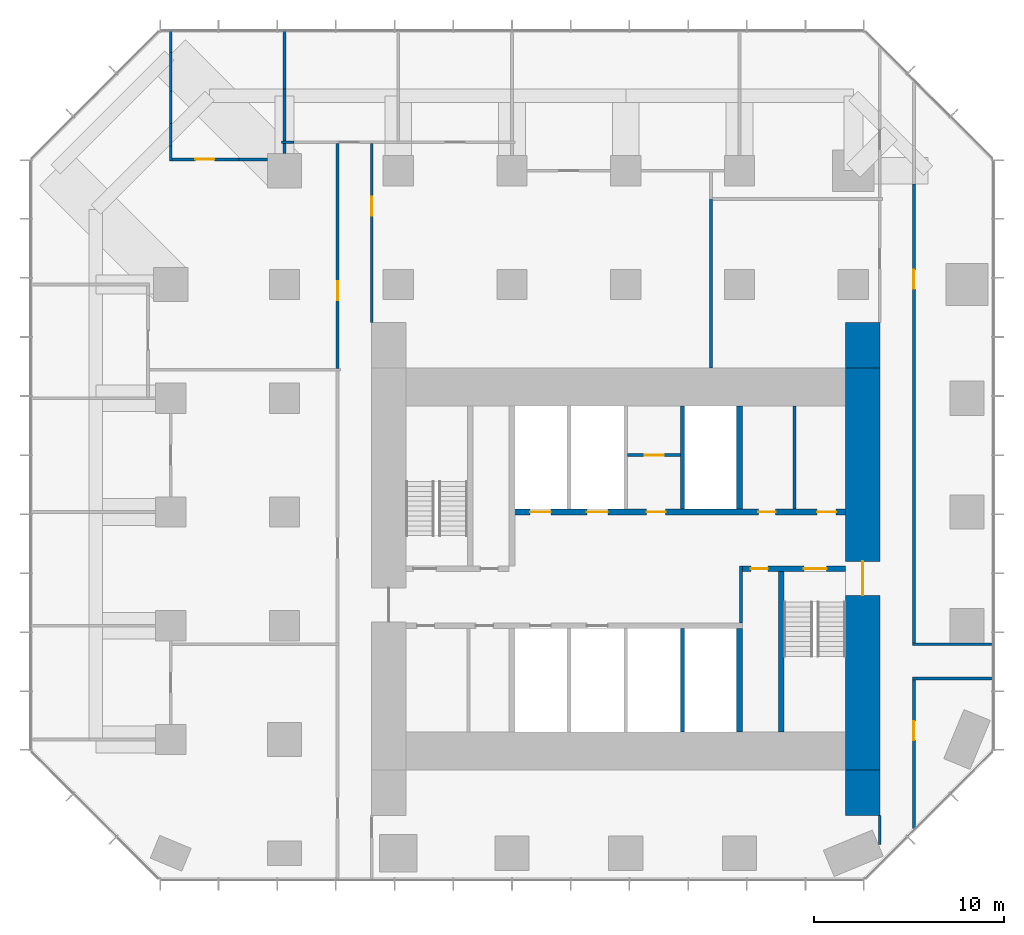
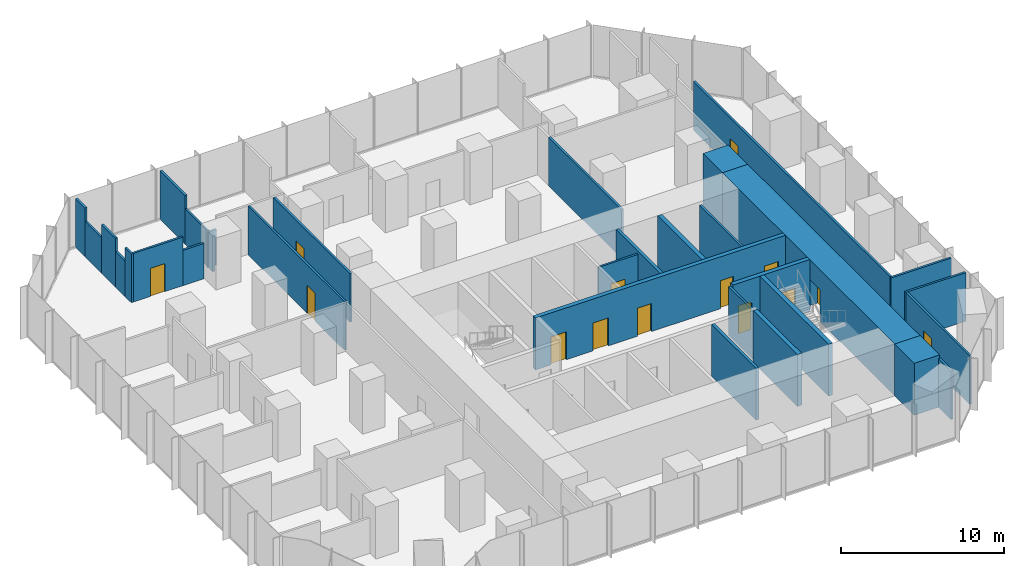
# One storey, part 9 of 11: 32 walls, 14 doors, 14 openings.
"""IFC4 building model written with IfcOpenShell, lengths in metres."""

from ifc_helpers import new_model, si_unit, direction, frame, frame_2d, origin, place, context, subcontext, project, spatial, rectangle, extrude, material, layer, layer_set, type_object, element, fill, save


model = new_model("IFC4")

# Units and contexts
model_context = context("Model", 3, precision=1e-05, world=origin(), true_north=direction((0.0, 1.0)))
body_context = subcontext(model_context, "Body", "Model", "MODEL_VIEW")
ifc_project = project(units=[si_unit("LENGTHUNIT", "METRE"), si_unit("AREAUNIT", "SQUARE_METRE"), si_unit("VOLUMEUNIT", "CUBIC_METRE"), si_unit("PLANEANGLEUNIT", "RADIAN"), si_unit("MASSUNIT", "GRAM", prefix="KILO")], contexts=[model_context])

# Site, building, storey
site_placement = place(None, origin())
site = spatial("IfcSite", under=ifc_project, at=site_placement, CompositionType="ELEMENT")
building_placement = place(site_placement, origin())
building = spatial("IfcBuilding", under=site, at=building_placement, Name="Highveld Stack Headquarters", CompositionType="ELEMENT")
storey_placement = place(building_placement, frame((0.0, 0.0, 105.5)))
storey = spatial("IfcBuildingStorey", under=building, at=storey_placement, Name="L25", CompositionType="ELEMENT", Elevation=105.5)

# Wall, opening, door
ifc_material_1 = material(Name="Concrete C60/75", Category="concrete")
ifc_layer_1 = layer(ifc_material_1, 1.800048828125)
ifc_layer_set_1 = layer_set([ifc_layer_1], Name="Concrete C60/75")
wall_type_1 = type_object("IfcWallType", Name="CORE WALL 1800 C60/75", PredefinedType="SHEAR", material=ifc_layer_set_1)
wall_1_placement = place(storey_placement, frame((18.5, -7.60009765625, 0.0), z_axis=(0.0, 0.0, 1.0), x_axis=(0.0, 1.0, 0.0)))
wall_1 = element("IfcWall", 1, at=wall_1_placement, inside=storey, type_object=wall_type_1, Name="Core wall E L25", PredefinedType="SHEAR", context=body_context, shape_type="SweptSolid", body=[
    extrude(rectangle(XDim=21.2001953125, YDim=1.800048828125, at=frame_2d((10.60009765625, 0.0))), origin(), (0.0, 0.0, 1.0), 3.89990234375),
])
opening_1_placement = place(wall_1_placement, frame((9.199951171875, 0.0, 0.0)))
opening_1 = element("IfcOpeningElement", 2, at=opening_1_placement, cuts=wall_1, Name="Opening L25-02", PredefinedType="OPENING", context=body_context, shape_type="SweptSolid", body=[
    extrude(rectangle(XDim=1.800048828125, YDim=2.39990234375, at=frame_2d((0.89990234375, 1.199951171875))), frame((0.0, 0.909912109375, 0.0), z_axis=(0.0, -1.0, 0.0), x_axis=(1.0, 0.0, 0.0)), (0.0, 0.0, 1.0), 1.820068359375),
])
ifc_material_2 = material(Name="Steel fire door", Category="steel")
door_type_1 = type_object("IfcDoorType", Name="LOBBY FIRE DOOR D4 1800x2400", OperationType="DOUBLE_DOOR_SINGLE_SWING", PredefinedType="DOOR", material=ifc_material_2)
door_1_placement = place(opening_1_placement, origin())
door_1 = element("IfcDoor", 3, at=door_1_placement, inside=storey, type_object=door_type_1, Name="Core east door L25", OperationType="DOUBLE_DOOR_SINGLE_SWING", OverallHeight=2.39990234375, OverallWidth=1.800048828125, PredefinedType="DOOR", context=body_context, shape_type="SweptSolid", body=[
    extrude(rectangle(XDim=1.800048828125, YDim=2.39990234375, at=frame_2d((0.89990234375, 1.199951171875))), frame((0.0, 0.02490234375, 0.0), z_axis=(0.0, -1.0, 0.0), x_axis=(1.0, 0.0, 0.0)), (0.0, 0.0, 1.0), 0.050048828125),
])
fill(opening_1, door_1)

# Wall, openings, doors
ifc_material_3 = material(Name="Concrete C60/75", Category="concrete")
ifc_layer_2 = layer(ifc_material_3, 0.300048828125)
ifc_layer_set_2 = layer_set([ifc_layer_2], Name="Concrete C60/75")
wall_type_2 = type_object("IfcWallType", Name="CORE WALL 300 C60/75", PredefinedType="SHEAR", material=ifc_layer_set_2)
wall_2_placement = place(storey_placement, frame((12.14990234375, 3.0, 0.0), z_axis=(0.0, 0.0, 1.0), x_axis=(1.0, 0.0, 0.0)))
wall_2 = element("IfcWall", 4, at=wall_2_placement, inside=storey, type_object=wall_type_2, Name="Core wall I-Y3E L25", PredefinedType="SHEAR", context=body_context, shape_type="SweptSolid", body=[
    extrude(rectangle(XDim=5.4501953125, YDim=0.300048828125, at=frame_2d((2.72509765625, 0.0))), origin(), (0.0, 0.0, 1.0), 3.89990234375),
])
opening_2_placement = place(wall_2_placement, frame((3.25, 0.0, 0.0)))
opening_2 = element("IfcOpeningElement", 5, at=opening_2_placement, cuts=wall_2, Name="Opening L25-05", PredefinedType="OPENING", context=body_context, shape_type="SweptSolid", body=[
    extrude(rectangle(XDim=1.199951171875, YDim=2.10009765625, at=frame_2d((0.60009765625, 1.050048828125))), frame((0.0, 0.159912109375, 0.0), z_axis=(0.0, -1.0, 0.0), x_axis=(1.0, 0.0, 0.0)), (0.0, 0.0, 1.0), 0.320068359375),
])
opening_3_placement = place(wall_2_placement, frame((0.449951171875, 0.0, 0.0)))
opening_3 = element("IfcOpeningElement", 6, at=opening_3_placement, cuts=wall_2, Name="Opening L25-06", PredefinedType="OPENING", context=body_context, shape_type="SweptSolid", body=[
    extrude(rectangle(XDim=0.89990234375, YDim=2.10009765625, at=frame_2d((0.449951171875, 1.050048828125))), frame((0.0, 0.159912109375, 0.0), z_axis=(0.0, -1.0, 0.0), x_axis=(1.0, 0.0, 0.0)), (0.0, 0.0, 1.0), 0.320068359375),
])
ifc_material_4 = material(Name="Steel fire door", Category="steel")
door_type_2 = type_object("IfcDoorType", Name="RISER ACCESS DOOR D5 900x2100", OperationType="SINGLE_SWING_LEFT", PredefinedType="DOOR", material=ifc_material_4)
door_2_placement = place(opening_3_placement, origin())
door_2 = element("IfcDoor", 7, at=door_2_placement, inside=storey, type_object=door_type_2, Name="Riser R2 door L25", OperationType="SINGLE_SWING_LEFT", OverallHeight=2.10009765625, OverallWidth=0.89990234375, PredefinedType="DOOR", context=body_context, shape_type="SweptSolid", body=[
    extrude(rectangle(XDim=0.89990234375, YDim=2.10009765625, at=frame_2d((0.449951171875, 1.050048828125))), frame((0.0, 0.02490234375, 0.0), z_axis=(0.0, -1.0, 0.0), x_axis=(1.0, 0.0, 0.0)), (0.0, 0.0, 1.0), 0.050048828125),
])
fill(opening_3, door_2)
ifc_material_5 = material(Name="Steel fire door", Category="steel")
door_type_3 = type_object("IfcDoorType", Name="STAIR FIRE DOOR D3 1200x2100", OperationType="SINGLE_SWING_LEFT", PredefinedType="DOOR", material=ifc_material_5)
door_3_placement = place(opening_2_placement, origin())
door_3 = element("IfcDoor", 8, at=door_3_placement, inside=storey, type_object=door_type_3, Name="Stair S2 door L25", OperationType="SINGLE_SWING_RIGHT", OverallHeight=2.10009765625, OverallWidth=1.199951171875, PredefinedType="DOOR", context=body_context, shape_type="SweptSolid", body=[
    extrude(rectangle(XDim=1.199951171875, YDim=2.10009765625, at=frame_2d((0.60009765625, 1.050048828125))), frame((0.0, 0.02490234375, 0.0), z_axis=(0.0, -1.0, 0.0), x_axis=(1.0, 0.0, 0.0)), (0.0, 0.0, 1.0), 0.050048828125),
])
fill(opening_2, door_3)

wall_3_placement = place(storey_placement, frame((-0.14990234375, 6.0, 0.0), z_axis=(0.0, 0.0, 1.0), x_axis=(1.0, 0.0, 0.0)))
wall_3 = element("IfcWall", 9, at=wall_3_placement, inside=storey, type_object=wall_type_2, Name="Core wall I-Y6 L25", PredefinedType="SHEAR", context=body_context, shape_type="SweptSolid", body=[
    extrude(rectangle(XDim=17.75, YDim=0.300048828125, at=frame_2d((8.875, 0.0))), origin(), (0.0, 0.0, 1.0), 3.89990234375),
])
opening_4_placement = place(wall_3_placement, frame((13.14990234375, 0.0, 0.0)))
opening_4 = element("IfcOpeningElement", 10, at=opening_4_placement, cuts=wall_3, Name="Opening L25-09", PredefinedType="OPENING", context=body_context, shape_type="SweptSolid", body=[
    extrude(rectangle(XDim=0.89990234375, YDim=2.10009765625, at=frame_2d((0.449951171875, 1.050048828125))), frame((0.0, 0.159912109375, 0.0), z_axis=(0.0, -1.0, 0.0), x_axis=(1.0, 0.0, 0.0)), (0.0, 0.0, 1.0), 0.320068359375),
])
opening_5_placement = place(wall_3_placement, frame((16.25, 0.0, 0.0)))
opening_5 = element("IfcOpeningElement", 11, at=opening_5_placement, cuts=wall_3, Name="Opening L25-10", PredefinedType="OPENING", context=body_context, shape_type="SweptSolid", body=[
    extrude(rectangle(XDim=1.0, YDim=2.10009765625, at=frame_2d((0.5, 1.050048828125))), frame((0.0, 0.159912109375, 0.0), z_axis=(0.0, -1.0, 0.0), x_axis=(1.0, 0.0, 0.0)), (0.0, 0.0, 1.0), 0.320068359375),
])
opening_6_placement = place(wall_3_placement, frame((7.25, 0.0, 0.0)))
opening_6 = element("IfcOpeningElement", 12, at=opening_6_placement, cuts=wall_3, Name="Opening L25-12", PredefinedType="OPENING", context=body_context, shape_type="SweptSolid", body=[
    extrude(rectangle(XDim=1.0, YDim=2.10009765625, at=frame_2d((0.5, 1.050048828125))), frame((0.0, 0.159912109375, 0.0), z_axis=(0.0, -1.0, 0.0), x_axis=(1.0, 0.0, 0.0)), (0.0, 0.0, 1.0), 0.320068359375),
])
opening_7_placement = place(wall_3_placement, frame((1.10009765625, 0.0, 0.0)))
opening_7 = element("IfcOpeningElement", 13, at=opening_7_placement, cuts=wall_3, Name="Opening LD", PredefinedType="OPENING", context=body_context, shape_type="SweptSolid", body=[
    extrude(rectangle(XDim=1.10009765625, YDim=2.10009765625, at=frame_2d((0.550048828125, 1.050048828125))), frame((0.0, 0.159912109375, 0.0), z_axis=(0.0, -1.0, 0.0), x_axis=(1.0, 0.0, 0.0)), (0.0, 0.0, 1.0), 0.320068359375),
])
opening_8_placement = place(wall_3_placement, frame((4.10009765625, 0.0, 0.0)))
opening_8 = element("IfcOpeningElement", 14, at=opening_8_placement, cuts=wall_3, Name="Opening LD", PredefinedType="OPENING", context=body_context, shape_type="SweptSolid", body=[
    extrude(rectangle(XDim=1.10009765625, YDim=2.10009765625, at=frame_2d((0.550048828125, 1.050048828125))), frame((0.0, 0.159912109375, 0.0), z_axis=(0.0, -1.0, 0.0), x_axis=(1.0, 0.0, 0.0)), (0.0, 0.0, 1.0), 0.320068359375),
])
ifc_material_6 = material(Name="Timber door, painted", Category="wood")
door_type_4 = type_object("IfcDoorType", Name="ACCESSIBLE WC DOOR D2 1000x2100", OperationType="SINGLE_SWING_RIGHT", PredefinedType="DOOR", material=ifc_material_6)
door_4_placement = place(opening_5_placement, origin())
door_4 = element("IfcDoor", 15, at=door_4_placement, inside=storey, type_object=door_type_4, Name="Accessible WC door L25", OperationType="SINGLE_SWING_RIGHT", OverallHeight=2.10009765625, OverallWidth=1.0, PredefinedType="DOOR", context=body_context, shape_type="SweptSolid", body=[
    extrude(rectangle(XDim=1.0, YDim=2.10009765625, at=frame_2d((0.5, 1.050048828125))), frame((0.0, 0.02490234375, 0.0), z_axis=(0.0, -1.0, 0.0), x_axis=(1.0, 0.0, 0.0)), (0.0, 0.0, 1.0), 0.050048828125),
])
fill(opening_5, door_4)
ifc_material_7 = material(Name="Steel fire door", Category="steel")
door_type_5 = type_object("IfcDoorType", Name="CORE ROOM FIRE DOOR D14 1000x2100", OperationType="SINGLE_SWING_LEFT", PredefinedType="DOOR", material=ifc_material_7)
door_5_placement = place(opening_6_placement, origin())
door_5 = element("IfcDoor", 16, at=door_5_placement, inside=storey, type_object=door_type_5, Name="Capped A 1 door L25", OperationType="SINGLE_SWING_LEFT", OverallHeight=2.10009765625, OverallWidth=1.0, PredefinedType="DOOR", context=body_context, shape_type="SweptSolid", body=[
    extrude(rectangle(XDim=1.0, YDim=2.10009765625, at=frame_2d((0.5, 1.050048828125))), frame((0.0, 0.02490234375, 0.0), z_axis=(0.0, -1.0, 0.0), x_axis=(1.0, 0.0, 0.0)), (0.0, 0.0, 1.0), 0.050048828125),
])
fill(opening_6, door_5)
ifc_material_8 = material(Name="Stainless steel lift landing door", Category="steel")
door_type_6 = type_object("IfcDoorType", Name="LIFT LANDING DOOR LD 1100x2100", OperationType="DOUBLE_DOOR_SLIDING", PredefinedType="USERDEFINED", material=ifc_material_8)
door_6_placement = place(opening_7_placement, origin())
door_6 = element("IfcDoor", 17, at=door_6_placement, inside=storey, type_object=door_type_6, Name="Lift landing door FF1 L25", ObjectType="LIFT LANDING DOOR", OperationType="DOUBLE_DOOR_SLIDING", OverallHeight=2.10009765625, OverallWidth=1.10009765625, PredefinedType="USERDEFINED", context=body_context, shape_type="SweptSolid", body=[
    extrude(rectangle(XDim=1.10009765625, YDim=2.10009765625, at=frame_2d((0.550048828125, 1.050048828125))), frame((0.0, 0.02490234375, 0.0), z_axis=(0.0, -1.0, 0.0), x_axis=(1.0, 0.0, 0.0)), (0.0, 0.0, 1.0), 0.050048828125),
])
fill(opening_7, door_6)
door_7_placement = place(opening_8_placement, origin())
door_7 = element("IfcDoor", 18, at=door_7_placement, inside=storey, type_object=door_type_6, Name="Lift landing door FF2 L25", ObjectType="LIFT LANDING DOOR", OperationType="DOUBLE_DOOR_SLIDING", OverallHeight=2.10009765625, OverallWidth=1.10009765625, PredefinedType="USERDEFINED", context=body_context, shape_type="SweptSolid", body=[
    extrude(rectangle(XDim=1.10009765625, YDim=2.10009765625, at=frame_2d((0.550048828125, 1.050048828125))), frame((0.0, 0.02490234375, 0.0), z_axis=(0.0, -1.0, 0.0), x_axis=(1.0, 0.0, 0.0)), (0.0, 0.0, 1.0), 0.050048828125),
])
fill(opening_8, door_7)
ifc_material_9 = material(Name="Timber door, painted", Category="wood")
door_type_7 = type_object("IfcDoorType", Name="WC DOOR D1 900x2100", OperationType="SINGLE_SWING_LEFT", PredefinedType="DOOR", material=ifc_material_9)
door_8_placement = place(opening_4_placement, origin())
door_8 = element("IfcDoor", 19, at=door_8_placement, inside=storey, type_object=door_type_7, Name="Male WC door L25", OperationType="SINGLE_SWING_RIGHT", OverallHeight=2.10009765625, OverallWidth=0.89990234375, PredefinedType="DOOR", context=body_context, shape_type="SweptSolid", body=[
    extrude(rectangle(XDim=0.89990234375, YDim=2.10009765625, at=frame_2d((0.449951171875, 1.050048828125))), frame((0.0, 0.02490234375, 0.0), z_axis=(0.0, -1.0, 0.0), x_axis=(1.0, 0.0, 0.0)), (0.0, 0.0, 1.0), 0.050048828125),
])
fill(opening_4, door_8)

# Walls
for number, where, z_axis, x_axis, name in (
    (20, (12.0, -5.60009765625, 0.0), (0.0, 0.0, 1.0), (0.0, 1.0, 0.0), "Core wall I-X12S L25"),
    (21, (12.0, 6.14990234375, 0.0), (0.0, 0.0, 1.0), (0.0, 1.0, 0.0), "Core wall I-X12N L25"),
):
    element("IfcWall", number, at=place(storey_placement, frame(where, z_axis=z_axis, x_axis=x_axis)), inside=storey, type_object=wall_type_2, Name=name, PredefinedType="SHEAR", context=body_context, shape_type="SweptSolid", body=[
        extrude(rectangle(XDim=5.4501953125, YDim=0.300048828125, at=frame_2d((2.72509765625, 0.0))), origin(), (0.0, 0.0, 1.0), 3.89990234375),
    ])
wall_4_placement = place(storey_placement, frame((14.199951171875, -5.60009765625, 0.0), z_axis=(0.0, 0.0, 1.0), x_axis=(0.0, 1.0, 0.0)))
element("IfcWall", 22, at=wall_4_placement, inside=storey, type_object=wall_type_2, Name="Core wall I-RE L25", PredefinedType="SHEAR", context=body_context, shape_type="SweptSolid", body=[
    extrude(rectangle(XDim=8.4501953125, YDim=0.300048828125, at=frame_2d((4.22509765625, 0.0))), origin(), (0.0, 0.0, 1.0), 3.89990234375),
])
ifc_material_10 = material(Name="Concrete C60/75", Category="concrete")
ifc_layer_3 = layer(ifc_material_10, 1.800048828125)
ifc_layer_set_3 = layer_set([ifc_layer_3], Name="Concrete C60/75")
wall_type_3 = type_object("IfcWallType", Name="CORE WING WALL 1800 C60/75", PredefinedType="SHEAR", material=ifc_layer_set_3)
for number, where, z_axis, x_axis, name in (
    (23, (18.5, -10.0, 0.0), (0.0, 0.0, 1.0), (0.0, 1.0, 0.0), "Core wing wall ES L25"),
    (24, (18.5, 13.60009765625, 0.0), (0.0, 0.0, 1.0), (0.0, 1.0, 0.0), "Core wing wall EN L25"),
):
    element("IfcWall", number, at=place(storey_placement, frame(where, z_axis=z_axis, x_axis=x_axis)), inside=storey, type_object=wall_type_3, Name=name, PredefinedType="SHEAR", context=body_context, shape_type="SweptSolid", body=[
        extrude(rectangle(XDim=2.39990234375, YDim=1.800048828125, at=frame_2d((1.199951171875, 0.0))), origin(), (0.0, 0.0, 1.0), 3.89990234375),
    ])

# Wall, opening, door
ifc_material_11 = material(Name="Concrete blockwork, plastered", Category="masonry")
ifc_layer_4 = layer(ifc_material_11, 0.14990234375)
ifc_layer_set_4 = layer_set([ifc_layer_4], Name="Concrete blockwork, plastered")
wall_type_4 = type_object("IfcWallType", Name="FIRE PARTITION 150 BLOCKWORK", PredefinedType="PARTITIONING", material=ifc_layer_set_4)
wall_5_placement = place(storey_placement, frame((6.10009765625, 9.0, 0.0), z_axis=(0.0, 0.0, 1.0), x_axis=(1.0, 0.0, 0.0)))
wall_5 = element("IfcWall", 25, at=wall_5_placement, inside=storey, type_object=wall_type_4, Name="Core room partition L25", PredefinedType="PARTITIONING", context=body_context, shape_type="SweptSolid", body=[
    extrude(rectangle(XDim=2.7998046875, YDim=0.14990234375, at=frame_2d((1.39990234375, 0.0))), origin(), (0.0, 0.0, 1.0), 3.64990234375),
])
opening_9_placement = place(wall_5_placement, frame((0.89990234375, 0.0, 0.0)))
opening_9 = element("IfcOpeningElement", 26, at=opening_9_placement, cuts=wall_5, Name="Opening L25-11", PredefinedType="OPENING", context=body_context, shape_type="SweptSolid", body=[
    extrude(rectangle(XDim=1.0, YDim=2.10009765625, at=frame_2d((0.5, 1.050048828125))), frame((0.0, 0.0849609375, 0.0), z_axis=(0.0, -1.0, 0.0), x_axis=(1.0, 0.0, 0.0)), (0.0, 0.0, 1.0), 0.169921875),
])
door_9_placement = place(opening_9_placement, origin())
door_9 = element("IfcDoor", 27, at=door_9_placement, inside=storey, type_object=door_type_5, Name="Capped A 2 door L25", OperationType="SINGLE_SWING_RIGHT", OverallHeight=2.10009765625, OverallWidth=1.0, PredefinedType="DOOR", context=body_context, shape_type="SweptSolid", body=[
    extrude(rectangle(XDim=1.0, YDim=2.10009765625, at=frame_2d((0.5, 1.050048828125))), frame((0.0, 0.02490234375, 0.0), z_axis=(0.0, -1.0, 0.0), x_axis=(1.0, 0.0, 0.0)), (0.0, 0.0, 1.0), 0.050048828125),
])
fill(opening_9, door_9)

# Wall
wall_6_placement = place(storey_placement, frame((12.074951171875, 0.14990234375, 0.0), z_axis=(0.0, 0.0, 1.0), x_axis=(0.0, 1.0, 0.0)))
element("IfcWall", 28, at=wall_6_placement, inside=storey, type_object=wall_type_4, Name="Riser R2 enclosure L25", PredefinedType="PARTITIONING", context=body_context, shape_type="SweptSolid", body=[
    extrude(rectangle(XDim=3.0, YDim=0.14990234375, at=frame_2d((1.5, 0.0))), origin(), (0.0, 0.0, 1.0), 3.64990234375),
])

# Wall, opening, door
ifc_material_12 = material(Name="Laminated glass in aluminium frame", Category="aluminium")
ifc_layer_5 = layer(ifc_material_12, 0.14990234375)
ifc_layer_set_5 = layer_set([ifc_layer_5], Name="Laminated glass in aluminium frame")
wall_type_5 = type_object("IfcWallType", Name="GLAZED PARTITION 150", PredefinedType="PARTITIONING", material=ifc_layer_set_5)
wall_7_placement = place(storey_placement, frame((-17.925048828125, 24.60009765625, 0.0), z_axis=(0.0, 0.0, 1.0), x_axis=(1.0, 0.0, 0.0)))
wall_7 = element("IfcWall", 29, at=wall_7_placement, inside=storey, type_object=wall_type_5, Name="Glazed partition Video conference room L25", PredefinedType="PARTITIONING", context=body_context, shape_type="SweptSolid", body=[
    extrude(rectangle(XDim=3.532958984375, YDim=0.14990234375, at=frame_2d((1.7666015625, 0.0))), origin(), (0.0, 0.0, 1.0), 3.64990234375),
])
opening_10_placement = place(wall_7_placement, frame((1.22900390625, 0.0, 0.0)))
opening_10 = element("IfcOpeningElement", 30, at=opening_10_placement, cuts=wall_7, Name="Opening L25-16", PredefinedType="OPENING", context=body_context, shape_type="SweptSolid", body=[
    extrude(rectangle(XDim=1.0, YDim=2.10009765625, at=frame_2d((0.5, 1.050048828125))), frame((0.0, 0.0849609375, 0.0), z_axis=(0.0, -1.0, 0.0), x_axis=(1.0, 0.0, 0.0)), (0.0, 0.0, 1.0), 0.169921875),
])
ifc_material_13 = material(Name="Timber door, oiled ash", Category="wood")
door_type_8 = type_object("IfcDoorType", Name="ROOM DOOR D6 1000x2100", OperationType="SINGLE_SWING_LEFT", PredefinedType="DOOR", material=ifc_material_13)
door_10_placement = place(opening_10_placement, origin())
door_10 = element("IfcDoor", 31, at=door_10_placement, inside=storey, type_object=door_type_8, Name="Video conference room door 1 L25", OperationType="SINGLE_SWING_LEFT", OverallHeight=2.10009765625, OverallWidth=1.0, PredefinedType="DOOR", context=body_context, shape_type="SweptSolid", body=[
    extrude(rectangle(XDim=1.0, YDim=2.10009765625, at=frame_2d((0.5, 1.050048828125))), frame((0.0, 0.02490234375, 0.0), z_axis=(0.0, -1.0, 0.0), x_axis=(1.0, 0.0, 0.0)), (0.0, 0.0, 1.0), 0.050048828125),
])
fill(opening_10, door_10)

# Walls
wall_8_placement = place(storey_placement, frame((-14.39208984375, 24.60009765625, 0.0), z_axis=(0.0, 0.0, 1.0), x_axis=(1.0, 0.0, 0.0)))
element("IfcWall", 32, at=wall_8_placement, inside=storey, type_object=wall_type_5, Name="Glazed partition Video conference room L25", PredefinedType="PARTITIONING", context=body_context, shape_type="SweptSolid", body=[
    extrude(rectangle(XDim=1.4921875, YDim=0.14990234375, at=frame_2d((0.74609375, 0.0))), origin(), (0.0, 0.0, 1.0), 2.64990234375),
])
ifc_material_14 = material(Name="Concrete blockwork, fair-faced", Category="masonry")
ifc_layer_6 = layer(ifc_material_14, 0.199951171875)
ifc_layer_set_6 = layer_set([ifc_layer_6], Name="Concrete blockwork, fair-faced")
wall_type_6 = type_object("IfcWallType", Name="LIFT SHAFT ENCLOSURE WALL 200 BLOCKWORK", PredefinedType="SOLIDWALL", material=ifc_layer_set_6)
for number, where, z_axis, x_axis, name in (
    (33, (9.0, 6.14990234375, 0.0), (0.0, 0.0, 1.0), (0.0, 1.0, 0.0), "Lift shaft wall L25"),
    (34, (9.0, -5.60009765625, 0.0), (0.0, 0.0, 1.0), (0.0, 1.0, 0.0), "Lift shaft wall L25"),
):
    element("IfcWall", number, at=place(storey_placement, frame(where, z_axis=z_axis, x_axis=x_axis)), inside=storey, type_object=wall_type_6, Name=name, PredefinedType="SOLIDWALL", context=body_context, shape_type="SweptSolid", body=[
        extrude(rectangle(XDim=5.4501953125, YDim=0.199951171875, at=frame_2d((2.72509765625, 0.0))), origin(), (0.0, 0.0, 1.0), 3.89990234375),
    ])
ifc_material_15 = material(Name="Gypsum plasterboard on steel studs", Category="steel")
ifc_layer_7 = layer(ifc_material_15, 0.14990234375)
ifc_layer_set_7 = layer_set([ifc_layer_7], Name="Gypsum plasterboard on steel studs")
wall_type_7 = type_object("IfcWallType", Name="PARTITION 150 PLASTERBOARD", PredefinedType="PARTITIONING", material=ifc_layer_set_7)
wall_9_placement = place(storey_placement, frame((-12.14990234375, 25.5, 0.0), z_axis=(0.0, 0.0, 1.0), x_axis=(1.0, 0.0, 0.0)))
element("IfcWall", 35, at=wall_9_placement, inside=storey, type_object=wall_type_7, Name="Partition Quiet room L25", PredefinedType="PARTITIONING", context=body_context, shape_type="SweptSolid", body=[
    extrude(rectangle(XDim=0.659912109375, YDim=0.14990234375, at=frame_2d((0.330078125, 0.0))), origin(), (0.0, 0.0, 1.0), 2.64990234375),
])
wall_10_placement = place(storey_placement, frame((-18.0, 24.52490234375, 0.0), z_axis=(0.0, 0.0, 1.0), x_axis=(0.0, 1.0, 0.0)))
element("IfcWall", 36, at=wall_10_placement, inside=storey, type_object=wall_type_7, Name="Partition Video conference room L25", PredefinedType="PARTITIONING", context=body_context, shape_type="SweptSolid", body=[
    extrude(rectangle(XDim=0.78515625, YDim=0.14990234375, at=frame_2d((0.392578125, 0.0))), origin(), (0.0, 0.0, 1.0), 3.64990234375),
])
wall_11_placement = place(storey_placement, frame((-18.0, 25.31005859375, 0.0), z_axis=(0.0, 0.0, 1.0), x_axis=(0.0, 1.0, 0.0)))
element("IfcWall", 37, at=wall_11_placement, inside=storey, type_object=wall_type_7, Name="Partition Video conference room L25", PredefinedType="PARTITIONING", context=body_context, shape_type="SweptSolid", body=[
    extrude(rectangle(XDim=1.179931640625, YDim=0.14990234375, at=frame_2d((0.58984375, 0.0))), origin(), (0.0, 0.0, 1.0), 2.64990234375),
])
wall_12_placement = place(storey_placement, frame((-18.0, 26.489990234375, 0.0), z_axis=(0.0, 0.0, 1.0), x_axis=(0.0, 1.0, 0.0)))
element("IfcWall", 38, at=wall_12_placement, inside=storey, type_object=wall_type_7, Name="Partition Video conference room L25", PredefinedType="PARTITIONING", context=body_context, shape_type="SweptSolid", body=[
    extrude(rectangle(XDim=1.718017578125, YDim=0.14990234375, at=frame_2d((0.85888671875, 0.0))), origin(), (0.0, 0.0, 1.0), 3.64990234375),
])
wall_13_placement = place(storey_placement, frame((-18.0, 28.2080078125, 0.0), z_axis=(0.0, 0.0, 1.0), x_axis=(0.0, 1.0, 0.0)))
element("IfcWall", 39, at=wall_13_placement, inside=storey, type_object=wall_type_7, Name="Partition Video conference room L25", PredefinedType="PARTITIONING", context=body_context, shape_type="SweptSolid", body=[
    extrude(rectangle(XDim=2.029052734375, YDim=0.14990234375, at=frame_2d((1.0146484375, 0.0))), origin(), (0.0, 0.0, 1.0), 2.64990234375),
])
wall_14_placement = place(storey_placement, frame((-18.0, 30.237060546875, 0.0), z_axis=(0.0, 0.0, 1.0), x_axis=(0.0, 1.0, 0.0)))
element("IfcWall", 40, at=wall_14_placement, inside=storey, type_object=wall_type_7, Name="Partition Video conference room L25", PredefinedType="PARTITIONING", context=body_context, shape_type="SweptSolid", body=[
    extrude(rectangle(XDim=1.162841796875, YDim=0.14990234375, at=frame_2d((0.58154296875, 0.0))), origin(), (0.0, 0.0, 1.0), 3.64990234375),
])
wall_15_placement = place(storey_placement, frame((-12.0, 24.89990234375, 0.0), z_axis=(0.0, 0.0, 1.0), x_axis=(0.0, 1.0, 0.0)))
element("IfcWall", 41, at=wall_15_placement, inside=storey, type_object=wall_type_7, Name="Partition Video conference room L25", PredefinedType="PARTITIONING", context=body_context, shape_type="SweptSolid", body=[
    extrude(rectangle(XDim=0.525146484375, YDim=0.14990234375, at=frame_2d((0.2626953125, 0.0))), origin(), (0.0, 0.0, 1.0), 2.64990234375),
])
wall_16_placement = place(storey_placement, frame((-12.0, 25.574951171875, 0.0), z_axis=(0.0, 0.0, 1.0), x_axis=(0.0, 1.0, 0.0)))
element("IfcWall", 42, at=wall_16_placement, inside=storey, type_object=wall_type_7, Name="Partition Quiet room / Video conference room L25", PredefinedType="PARTITIONING", context=body_context, shape_type="SweptSolid", body=[
    extrude(rectangle(XDim=2.735107421875, YDim=0.14990234375, at=frame_2d((1.36767578125, 0.0))), origin(), (0.0, 0.0, 1.0), 2.64990234375),
])
wall_17_placement = place(storey_placement, frame((-12.0, 28.31005859375, 0.0), z_axis=(0.0, 0.0, 1.0), x_axis=(0.0, 1.0, 0.0)))
element("IfcWall", 43, at=wall_17_placement, inside=storey, type_object=wall_type_7, Name="Partition Quiet room / Video conference room L25", PredefinedType="PARTITIONING", context=body_context, shape_type="SweptSolid", body=[
    extrude(rectangle(XDim=3.08984375, YDim=0.14990234375, at=frame_2d((1.544921875, 0.0))), origin(), (0.0, 0.0, 1.0), 3.64990234375),
])

# Wall, opening, door
wall_18_placement = place(storey_placement, frame((-9.199951171875, 13.574951171875, 0.0), z_axis=(0.0, 0.0, 1.0), x_axis=(0.0, 1.0, 0.0)))
wall_18 = element("IfcWall", 44, at=wall_18_placement, inside=storey, type_object=wall_type_7, Name="Partition office neighbourhood L25", PredefinedType="PARTITIONING", context=body_context, shape_type="SweptSolid", body=[
    extrude(rectangle(XDim=11.85009765625, YDim=0.14990234375, at=frame_2d((5.925048828125, 0.0))), origin(), (0.0, 0.0, 1.0), 3.64990234375),
])
opening_11_placement = place(wall_18_placement, frame((3.59912109375, 0.0, 0.0)))
opening_11 = element("IfcOpeningElement", 45, at=opening_11_placement, cuts=wall_18, Name="Opening L25-25", PredefinedType="OPENING", context=body_context, shape_type="SweptSolid", body=[
    extrude(rectangle(XDim=1.0, YDim=2.10009765625, at=frame_2d((0.5, 1.050048828125))), frame((0.0, 0.0849609375, 0.0), z_axis=(0.0, -1.0, 0.0), x_axis=(1.0, 0.0, 0.0)), (0.0, 0.0, 1.0), 0.169921875),
])
door_11_placement = place(opening_11_placement, origin())
door_11 = element("IfcDoor", 46, at=door_11_placement, inside=storey, type_object=door_type_8, Name="Office neighbourhood door L25", OperationType="SINGLE_SWING_LEFT", OverallHeight=2.10009765625, OverallWidth=1.0, PredefinedType="DOOR", context=body_context, shape_type="SweptSolid", body=[
    extrude(rectangle(XDim=1.0, YDim=2.10009765625, at=frame_2d((0.5, 1.050048828125))), frame((0.0, 0.02490234375, 0.0), z_axis=(0.0, -1.0, 0.0), x_axis=(1.0, 0.0, 0.0)), (0.0, 0.0, 1.0), 0.050048828125),
])
fill(opening_11, door_11)

wall_19_placement = place(storey_placement, frame((-7.39990234375, 16.0, 0.0), z_axis=(0.0, 0.0, 1.0), x_axis=(0.0, 1.0, 0.0)))
wall_19 = element("IfcWall", 47, at=wall_19_placement, inside=storey, type_object=wall_type_7, Name="Partition office neighbourhood L25", PredefinedType="PARTITIONING", context=body_context, shape_type="SweptSolid", body=[
    extrude(rectangle(XDim=9.425048828125, YDim=0.14990234375, at=frame_2d((4.71240234375, 0.0))), origin(), (0.0, 0.0, 1.0), 3.64990234375),
])
opening_12_placement = place(wall_19_placement, frame((5.6259765625, 0.0, 0.0)))
opening_12 = element("IfcOpeningElement", 48, at=opening_12_placement, cuts=wall_19, Name="Opening L25-24", PredefinedType="OPENING", context=body_context, shape_type="SweptSolid", body=[
    extrude(rectangle(XDim=1.0, YDim=2.10009765625, at=frame_2d((0.5, 1.050048828125))), frame((0.0, 0.0849609375, 0.0), z_axis=(0.0, -1.0, 0.0), x_axis=(1.0, 0.0, 0.0)), (0.0, 0.0, 1.0), 0.169921875),
])
door_12_placement = place(opening_12_placement, origin())
door_12 = element("IfcDoor", 49, at=door_12_placement, inside=storey, type_object=door_type_8, Name="Office neighbourhood door L25", OperationType="SINGLE_SWING_RIGHT", OverallHeight=2.10009765625, OverallWidth=1.0, PredefinedType="DOOR", context=body_context, shape_type="SweptSolid", body=[
    extrude(rectangle(XDim=1.0, YDim=2.10009765625, at=frame_2d((0.5, 1.050048828125))), frame((0.0, 0.02490234375, 0.0), z_axis=(0.0, -1.0, 0.0), x_axis=(1.0, 0.0, 0.0)), (0.0, 0.0, 1.0), 0.050048828125),
])
fill(opening_12, door_12)

# Walls
wall_20_placement = place(storey_placement, frame((10.5, 13.60009765625, 0.0), z_axis=(0.0, 0.0, 1.0), x_axis=(0.0, 1.0, 0.0)))
element("IfcWall", 50, at=wall_20_placement, inside=storey, type_object=wall_type_7, Name="Partition office neighbourhood L25", PredefinedType="PARTITIONING", context=body_context, shape_type="SweptSolid", body=[
    extrude(rectangle(XDim=8.974853515625, YDim=0.14990234375, at=frame_2d((4.4873046875, 0.0))), origin(), (0.0, 0.0, 1.0), 3.64990234375),
])
wall_21_placement = place(storey_placement, frame((19.39990234375, -11.54052734375, 0.0), z_axis=(0.0, 0.0, 1.0), x_axis=(0.0, 1.0, 0.0)))
element("IfcWall", 51, at=wall_21_placement, inside=storey, type_object=wall_type_7, Name="Partition office neighbourhood L25", PredefinedType="PARTITIONING", context=body_context, shape_type="SweptSolid", body=[
    extrude(rectangle(XDim=1.54052734375, YDim=0.14990234375, at=frame_2d((0.770263671875, 0.0))), origin(), (0.0, 0.0, 1.0), 3.64990234375),
])

# Wall, opening, door
wall_22_placement = place(storey_placement, frame((21.199951171875, -10.68896484375, 0.0), z_axis=(0.0, 0.0, 1.0), x_axis=(0.0, 1.0, 0.0)))
wall_22 = element("IfcWall", 52, at=wall_22_placement, inside=storey, type_object=wall_type_7, Name="Partition office neighbourhood L25", PredefinedType="PARTITIONING", context=body_context, shape_type="SweptSolid", body=[
    extrude(rectangle(XDim=7.8388671875, YDim=0.14990234375, at=frame_2d((3.91943359375, 0.0))), origin(), (0.0, 0.0, 1.0), 3.64990234375),
])
opening_13_placement = place(wall_22_placement, frame((4.662109375, 0.0, 0.0)))
opening_13 = element("IfcOpeningElement", 53, at=opening_13_placement, cuts=wall_22, Name="Opening L25-21", PredefinedType="OPENING", context=body_context, shape_type="SweptSolid", body=[
    extrude(rectangle(XDim=1.0, YDim=2.10009765625, at=frame_2d((0.5, 1.050048828125))), frame((0.0, 0.0849609375, 0.0), z_axis=(0.0, -1.0, 0.0), x_axis=(1.0, 0.0, 0.0)), (0.0, 0.0, 1.0), 0.169921875),
])
door_13_placement = place(opening_13_placement, origin())
door_13 = element("IfcDoor", 54, at=door_13_placement, inside=storey, type_object=door_type_8, Name="Office neighbourhood door L25", OperationType="SINGLE_SWING_RIGHT", OverallHeight=2.10009765625, OverallWidth=1.0, PredefinedType="DOOR", context=body_context, shape_type="SweptSolid", body=[
    extrude(rectangle(XDim=1.0, YDim=2.10009765625, at=frame_2d((0.5, 1.050048828125))), frame((0.0, 0.02490234375, 0.0), z_axis=(0.0, -1.0, 0.0), x_axis=(1.0, 0.0, 0.0)), (0.0, 0.0, 1.0), 0.050048828125),
])
fill(opening_13, door_13)

# Wall
wall_23_placement = place(storey_placement, frame((21.125, -2.77490234375, 0.0), z_axis=(0.0, 0.0, 1.0), x_axis=(1.0, 0.0, 0.0)))
element("IfcWall", 55, at=wall_23_placement, inside=storey, type_object=wall_type_7, Name="Partition office neighbourhood L25", PredefinedType="PARTITIONING", context=body_context, shape_type="SweptSolid", body=[
    extrude(rectangle(XDim=4.27490234375, YDim=0.14990234375, at=frame_2d((2.137451171875, 0.0))), origin(), (0.0, 0.0, 1.0), 3.64990234375),
])

# Wall, opening, door
wall_24_placement = place(storey_placement, frame((21.199951171875, -0.89990234375, 0.0), z_axis=(0.0, 0.0, 1.0), x_axis=(0.0, 1.0, 0.0)))
wall_24 = element("IfcWall", 56, at=wall_24_placement, inside=storey, type_object=wall_type_7, Name="Partition office neighbourhood L25", PredefinedType="PARTITIONING", context=body_context, shape_type="SweptSolid", body=[
    extrude(rectangle(XDim=24.18994140625, YDim=0.14990234375, at=frame_2d((12.094970703125, 0.0))), origin(), (0.0, 0.0, 1.0), 3.64990234375),
])
opening_14_placement = place(wall_24_placement, frame((18.674072265625, 0.0, 0.0)))
opening_14 = element("IfcOpeningElement", 57, at=opening_14_placement, cuts=wall_24, Name="Opening L25-23", PredefinedType="OPENING", context=body_context, shape_type="SweptSolid", body=[
    extrude(rectangle(XDim=1.0, YDim=2.10009765625, at=frame_2d((0.5, 1.050048828125))), frame((0.0, 0.0849609375, 0.0), z_axis=(0.0, -1.0, 0.0), x_axis=(1.0, 0.0, 0.0)), (0.0, 0.0, 1.0), 0.169921875),
])
door_14_placement = place(opening_14_placement, origin())
door_14 = element("IfcDoor", 58, at=door_14_placement, inside=storey, type_object=door_type_8, Name="Office neighbourhood door L25", OperationType="SINGLE_SWING_RIGHT", OverallHeight=2.10009765625, OverallWidth=1.0, PredefinedType="DOOR", context=body_context, shape_type="SweptSolid", body=[
    extrude(rectangle(XDim=1.0, YDim=2.10009765625, at=frame_2d((0.5, 1.050048828125))), frame((0.0, 0.02490234375, 0.0), z_axis=(0.0, -1.0, 0.0), x_axis=(1.0, 0.0, 0.0)), (0.0, 0.0, 1.0), 0.050048828125),
])
fill(opening_14, door_14)

# Walls
wall_25_placement = place(storey_placement, frame((21.125, -0.97509765625, 0.0), z_axis=(0.0, 0.0, 1.0), x_axis=(1.0, 0.0, 0.0)))
element("IfcWall", 59, at=wall_25_placement, inside=storey, type_object=wall_type_7, Name="Partition office neighbourhood L25", PredefinedType="PARTITIONING", context=body_context, shape_type="SweptSolid", body=[
    extrude(rectangle(XDim=4.27490234375, YDim=0.14990234375, at=frame_2d((2.137451171875, 0.0))), origin(), (0.0, 0.0, 1.0), 3.64990234375),
])
ifc_material_16 = material(Name="Concrete blockwork, tiled", Category="masonry")
ifc_layer_8 = layer(ifc_material_16, 0.14990234375)
ifc_layer_set_8 = layer_set([ifc_layer_8], Name="Concrete blockwork, tiled")
wall_type_8 = type_object("IfcWallType", Name="WC PARTITION 150", PredefinedType="PLUMBINGWALL", material=ifc_layer_set_8)
wall_26_placement = place(storey_placement, frame((14.89990234375, 6.14990234375, 0.0), z_axis=(0.0, 0.0, 1.0), x_axis=(0.0, 1.0, 0.0)))
element("IfcWall", 60, at=wall_26_placement, inside=storey, type_object=wall_type_8, Name="Toilet partition L25", PredefinedType="PLUMBINGWALL", context=body_context, shape_type="SweptSolid", body=[
    extrude(rectangle(XDim=5.4501953125, YDim=0.14990234375, at=frame_2d((2.72509765625, 0.0))), origin(), (0.0, 0.0, 1.0), 3.64990234375),
])

save(model, "model.ifc")
